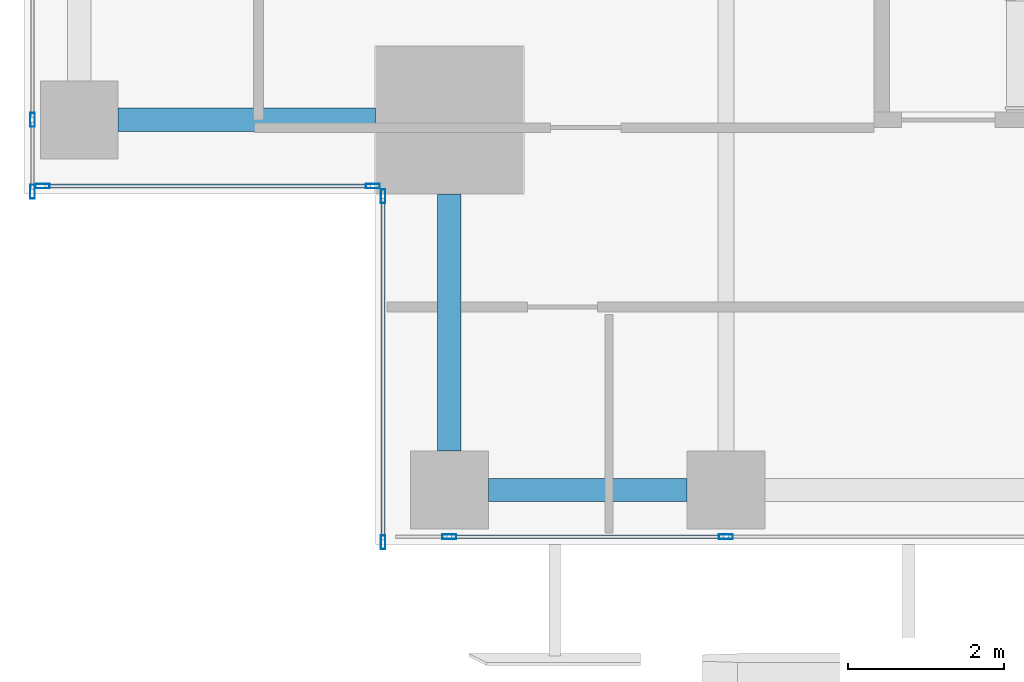
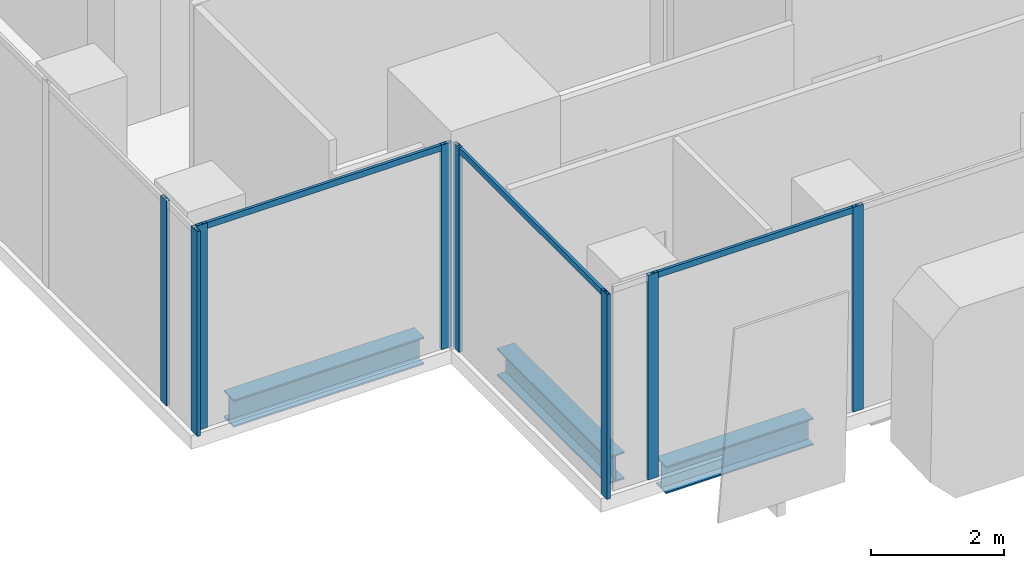
# One storey, part 2 of 40: 11 members, 3 beams, 4 elements without a shape of their own.
"""IFC4 building model written with IfcOpenShell, lengths in metres."""

from ifc_helpers import new_model, si_unit, direction, frame, origin, origin_2d, place, context, subcontext, project, spatial, hollow_rectangle, i_section, extrude, source, transform, mapped, material, material_profile, profile_set, type_object, element, aggregate, save


model = new_model("IFC4")

# Units and contexts
model_context = context("Model", 3, precision=1e-05, world=origin(), true_north=direction((0.0, 1.0)))
body_context = subcontext(model_context, "Body", "Model", "MODEL_VIEW")
ifc_project = project(units=[si_unit("LENGTHUNIT", "METRE"), si_unit("AREAUNIT", "SQUARE_METRE"), si_unit("VOLUMEUNIT", "CUBIC_METRE"), si_unit("PLANEANGLEUNIT", "RADIAN"), si_unit("MASSUNIT", "GRAM", prefix="KILO")], contexts=[model_context])

# Site, building, storey
site_placement = place(None, origin())
site = spatial("IfcSite", under=ifc_project, at=site_placement, CompositionType="ELEMENT")
building_placement = place(site_placement, origin())
building = spatial("IfcBuilding", under=site, at=building_placement, Name="Khomas Fold Tower", CompositionType="ELEMENT")
storey_placement = place(building_placement, frame((0.0, 0.0, 180.699951171875)))
storey = spatial("IfcBuildingStorey", under=building, at=storey_placement, Name="L39", CompositionType="ELEMENT", Elevation=180.699951171875)

# Beams
ifc_material_1 = material(Name="Steel S355", Category="steel")
ifc_material_profile_1 = material_profile(ifc_material_1, i_section(OverallWidth=0.300048828125, OverallDepth=0.5, WebThickness=0.014404296875, FlangeThickness=0.028076171875, at=origin_2d()), Name="HE 500 B")
ifc_profile_set_1 = profile_set([ifc_material_profile_1], Name="Steel S355")
beam_type = type_object("IfcBeamType", Name="HE 500 B spandrel SB3", PredefinedType="SPANDREL", material=ifc_profile_set_1)
shared_shape_1 = source(origin(), body_context, "Body", "SweptSolid", [
    extrude(i_section(OverallWidth=0.300048828125, OverallDepth=0.5, WebThickness=0.014404296875, FlangeThickness=0.028076171875, at=origin_2d()), origin(), (0.0, 0.0, 1.0), 2.550048828125),
])
beam_placement = place(storey_placement, frame((8.949951171875, 3.699951171875, -0.5), z_axis=(1.0, 0.0, 0.0), x_axis=(0.0, 1.0, 0.0)))
element("IfcBeam", 1, at=beam_placement, inside=storey, type_object=beam_type, Name="SB3", PredefinedType="SPANDREL", context=body_context, shape_type="MappedRepresentation", body=[
    mapped(shared_shape_1, transform((0.0, 0.0, 0.0))),
])
shared_shape_2 = source(origin(), body_context, "Body", "SweptSolid", [
    extrude(i_section(OverallWidth=0.300048828125, OverallDepth=0.5, WebThickness=0.014404296875, FlangeThickness=0.028076171875, at=origin_2d()), origin(), (0.0, 0.0, 1.0), 3.300048828125),
])
for number, where, z_axis, x_axis, name in (
    (2, (4.199951171875, 8.449951171875, -0.5), (1.0, 0.0, 0.0), (0.0, 1.0, 0.0), "SB3"),
    (3, (8.449951171875, 4.199951171875, -0.5), (0.0, 1.0, 0.0), (-1.0, 0.0, 0.0), "SB3"),
):
    element("IfcBeam", number, at=place(storey_placement, frame(where, z_axis=z_axis, x_axis=x_axis)), inside=storey, type_object=beam_type, Name=name, PredefinedType="SPANDREL", context=body_context, shape_type="MappedRepresentation", body=[
        mapped(shared_shape_2, transform((0.0, 0.0, 0.0))),
    ])

# Curtain wall, members
ifc_material_2 = material(Name="Aluminium framed double glazing", Category="aluminium")
curtain_wall_type = type_object("IfcCurtainWallType", Name="SK-Unitised clear-glass wall, office floors CW2", PredefinedType="NOTDEFINED", material=ifc_material_2)
curtain_wall_1_placement = place(storey_placement, origin())
curtain_wall_1 = element("IfcCurtainWall", 4, at=curtain_wall_1_placement, inside=storey, type_object=curtain_wall_type, Name="CW2 corner return L39 00", PredefinedType="NOTDEFINED")
ifc_material_3 = material(Name="Aluminium", Category="aluminium")
ifc_material_profile_2 = material_profile(ifc_material_3, hollow_rectangle(XDim=0.06005859375, YDim=0.179931640625, WallThickness=0.00390625, at=origin_2d()), Name="SK-Unitised clear-glass wall, office floors mullion CW2-M")
ifc_profile_set_2 = profile_set([ifc_material_profile_2], Name="Aluminium")
member_type_1 = type_object("IfcMemberType", Name="SK-Unitised clear-glass wall, office floors mullion CW2-M", PredefinedType="MULLION", material=ifc_profile_set_2)
shared_shape_3 = source(origin(), body_context, "Body", "SweptSolid", [
    extrude(hollow_rectangle(XDim=0.06005859375, YDim=0.179931640625, WallThickness=0.00390625, at=origin_2d()), origin(), (0.0, 0.0, 1.0), 3.75),
])
member_1_placement = place(storey_placement, frame((7.60009765625, 7.469970703125, 0.0), z_axis=(0.0, 0.0, 1.0), x_axis=(1.0, 0.0, 0.0)))
member_1 = element("IfcMember", 5, at=member_1_placement, type_object=member_type_1, Name="CW2 mullion 1", PredefinedType="MULLION", context=body_context, shape_type="MappedRepresentation", body=[
    mapped(shared_shape_3, transform((0.0, 0.0, 0.0))),
])
member_2_placement = place(storey_placement, frame((7.60009765625, 3.030029296875, 0.0), z_axis=(0.0, 0.0, 1.0), x_axis=(1.0, 0.0, 0.0)))
member_2 = element("IfcMember", 6, at=member_2_placement, type_object=member_type_1, Name="CW2 mullion 2", PredefinedType="MULLION", context=body_context, shape_type="MappedRepresentation", body=[
    mapped(shared_shape_3, transform((0.0, 0.0, 0.0))),
])

curtain_wall_2_placement = place(storey_placement, origin())
curtain_wall_2 = element("IfcCurtainWall", 7, at=curtain_wall_2_placement, inside=storey, type_object=curtain_wall_type, Name="CW2 run L39 01-0", PredefinedType="NOTDEFINED")
member_3_placement = place(storey_placement, frame((8.449951171875, 3.10009765625, 0.0), z_axis=(0.0, 0.0, 1.0), x_axis=(0.0, 1.0, 0.0)))
member_3 = element("IfcMember", 8, at=member_3_placement, type_object=member_type_1, Name="CW2 mullion 2", PredefinedType="MULLION", context=body_context, shape_type="MappedRepresentation", body=[
    mapped(shared_shape_3, transform((0.0, 0.0, 0.0))),
])
member_4_placement = place(storey_placement, frame((12.0, 3.10009765625, 0.0), z_axis=(0.0, 0.0, 1.0), x_axis=(0.0, 1.0, 0.0)))
member_4 = element("IfcMember", 9, at=member_4_placement, type_object=member_type_1, Name="CW2 mullion 3", PredefinedType="MULLION", context=body_context, shape_type="MappedRepresentation", body=[
    mapped(shared_shape_3, transform((0.0, 0.0, 0.0))),
])

curtain_wall_3_placement = place(storey_placement, origin())
curtain_wall_3 = element("IfcCurtainWall", 10, at=curtain_wall_3_placement, inside=storey, type_object=curtain_wall_type, Name="CW2 run L39 18-0", PredefinedType="NOTDEFINED")
member_5_placement = place(storey_placement, frame((3.10009765625, 8.449951171875, 0.0), z_axis=(0.0, 0.0, 1.0), x_axis=(1.0, 0.0, 0.0)))
member_5 = element("IfcMember", 11, at=member_5_placement, type_object=member_type_1, Name="CW2 mullion 8", PredefinedType="MULLION", context=body_context, shape_type="MappedRepresentation", body=[
    mapped(shared_shape_3, transform((0.0, 0.0, 0.0))),
])
member_6_placement = place(storey_placement, frame((3.10009765625, 7.530029296875, 0.0), z_axis=(0.0, 0.0, 1.0), x_axis=(1.0, 0.0, 0.0)))
member_6 = element("IfcMember", 12, at=member_6_placement, type_object=member_type_1, Name="CW2 mullion 9", PredefinedType="MULLION", context=body_context, shape_type="MappedRepresentation", body=[
    mapped(shared_shape_3, transform((0.0, 0.0, 0.0))),
])
aggregate(curtain_wall_3, [member_5, member_6])

curtain_wall_4_placement = place(storey_placement, origin())
curtain_wall_4 = element("IfcCurtainWall", 13, at=curtain_wall_4_placement, inside=storey, type_object=curtain_wall_type, Name="CW2 corner return L39 19", PredefinedType="NOTDEFINED")
member_7_placement = place(storey_placement, frame((3.22998046875, 7.60009765625, 0.0), z_axis=(0.0, 0.0, 1.0), x_axis=(0.0, 1.0, 0.0)))
member_7 = element("IfcMember", 14, at=member_7_placement, type_object=member_type_1, Name="CW2 mullion 1", PredefinedType="MULLION", context=body_context, shape_type="MappedRepresentation", body=[
    mapped(shared_shape_3, transform((0.0, 0.0, 0.0))),
])
member_8_placement = place(storey_placement, frame((7.469970703125, 7.60009765625, 0.0), z_axis=(0.0, 0.0, 1.0), x_axis=(0.0, 1.0, 0.0)))
member_8 = element("IfcMember", 15, at=member_8_placement, type_object=member_type_1, Name="CW2 mullion 2", PredefinedType="MULLION", context=body_context, shape_type="MappedRepresentation", body=[
    mapped(shared_shape_3, transform((0.0, 0.0, 0.0))),
])

# Member
ifc_material_4 = material(Name="Aluminium", Category="aluminium")
ifc_material_profile_3 = material_profile(ifc_material_4, hollow_rectangle(XDim=0.050048828125, YDim=0.110107421875, WallThickness=0.00390625, at=origin_2d()), Name="SK-Unitised clear-glass wall, office floors transom CW2-T")
ifc_profile_set_3 = profile_set([ifc_material_profile_3], Name="Aluminium")
member_type_2 = type_object("IfcMemberType", Name="SK-Unitised clear-glass wall, office floors transom CW2-T", PredefinedType="USERDEFINED", material=ifc_profile_set_3)
shared_shape_4 = source(origin(), body_context, "Body", "SweptSolid", [
    extrude(hollow_rectangle(XDim=0.050048828125, YDim=0.110107421875, WallThickness=0.00390625, at=origin_2d()), origin(), (0.0, 0.0, 1.0), 4.3798828125),
])
member_9_placement = place(storey_placement, frame((7.60009765625, 7.43994140625, 3.695068359375), z_axis=(0.0, -1.0, 0.0), x_axis=(1.0, 0.0, 0.0)))
member_9 = element("IfcMember", 16, at=member_9_placement, type_object=member_type_2, Name="CW2 transom 1", ObjectType="TRANSOM", PredefinedType="USERDEFINED", context=body_context, shape_type="MappedRepresentation", body=[
    mapped(shared_shape_4, transform((0.0, 0.0, 0.0))),
])

aggregate(curtain_wall_1, [member_1, member_2, member_9])

shared_shape_5 = source(origin(), body_context, "Body", "SweptSolid", [
    extrude(hollow_rectangle(XDim=0.050048828125, YDim=0.110107421875, WallThickness=0.00390625, at=origin_2d()), origin(), (0.0, 0.0, 1.0), 3.489990234375),
])
member_10_placement = place(storey_placement, frame((8.47998046875, 3.10009765625, 3.695068359375), z_axis=(1.0, 0.0, 0.0), x_axis=(0.0, 1.0, 0.0)))
member_10 = element("IfcMember", 17, at=member_10_placement, type_object=member_type_2, Name="CW2 transom 2", ObjectType="TRANSOM", PredefinedType="USERDEFINED", context=body_context, shape_type="MappedRepresentation", body=[
    mapped(shared_shape_5, transform((0.0, 0.0, 0.0))),
])

aggregate(curtain_wall_2, [member_3, member_4, member_10])

shared_shape_6 = source(origin(), body_context, "Body", "SweptSolid", [
    extrude(hollow_rectangle(XDim=0.050048828125, YDim=0.110107421875, WallThickness=0.00390625, at=origin_2d()), origin(), (0.0, 0.0, 1.0), 4.179931640625),
])
member_11_placement = place(storey_placement, frame((3.260009765625, 7.60009765625, 3.695068359375), z_axis=(1.0, 0.0, 0.0), x_axis=(0.0, 1.0, 0.0)))
member_11 = element("IfcMember", 18, at=member_11_placement, type_object=member_type_2, Name="CW2 transom 1", ObjectType="TRANSOM", PredefinedType="USERDEFINED", context=body_context, shape_type="MappedRepresentation", body=[
    mapped(shared_shape_6, transform((0.0, 0.0, 0.0))),
])

aggregate(curtain_wall_4, [member_7, member_8, member_11])

save(model, "model.ifc")
